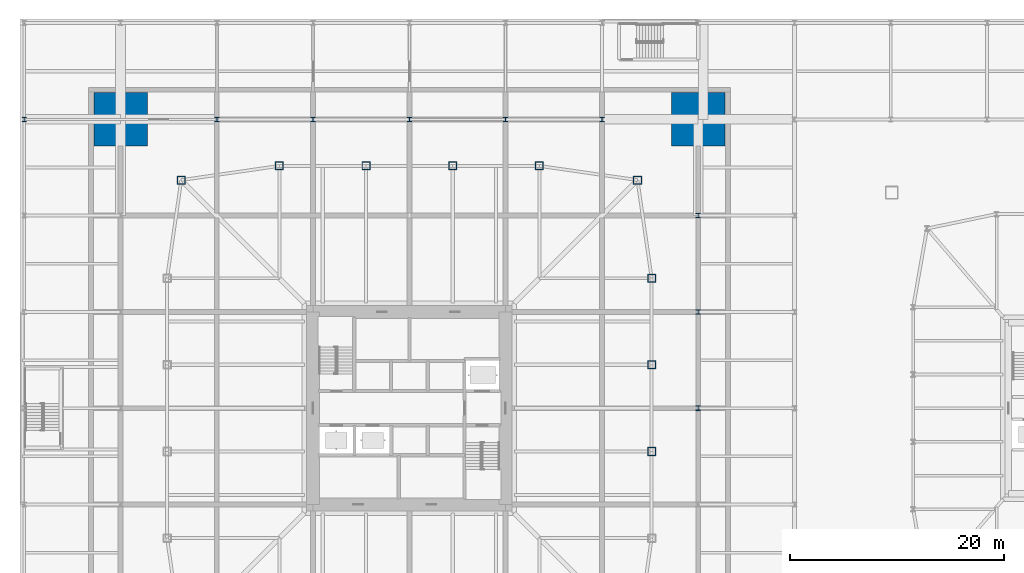
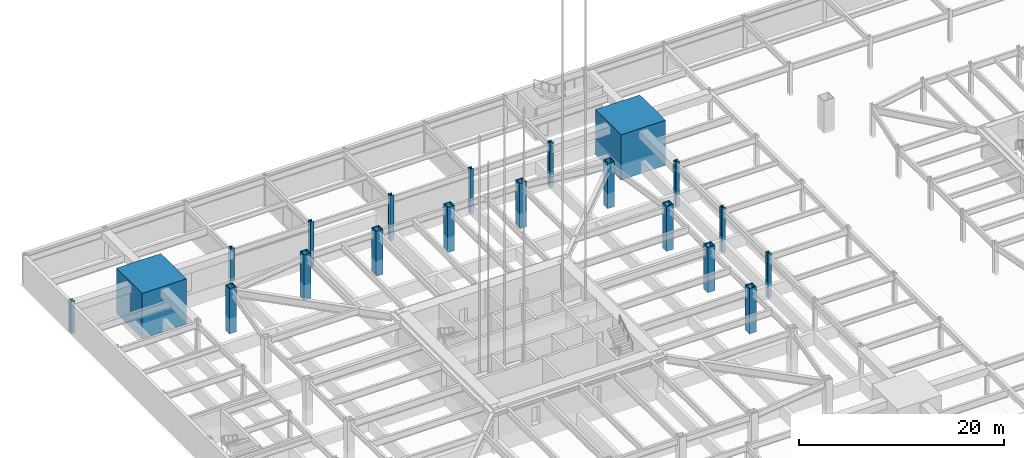
# One storey, part 2 of 35: 20 columns.
"""IFC4 building model written with IfcOpenShell, lengths in metres."""

from ifc_helpers import new_model, si_unit, direction, frame, origin, origin_2d, place, context, subcontext, project, spatial, rectangle, hollow_rectangle, i_section, extrude, material, material_profile, profile_set, type_object, element, save


model = new_model("IFC4")

# Units and contexts
model_context = context("Model", 3, precision=1e-05, world=origin(), true_north=direction((0.0, 1.0)))
body_context = subcontext(model_context, "Body", "Model", "MODEL_VIEW")
ifc_project = project(units=[si_unit("LENGTHUNIT", "METRE"), si_unit("AREAUNIT", "SQUARE_METRE"), si_unit("VOLUMEUNIT", "CUBIC_METRE"), si_unit("PLANEANGLEUNIT", "RADIAN"), si_unit("MASSUNIT", "GRAM", prefix="KILO")], contexts=[model_context])

# Site, building, storey
site_placement = place(None, origin())
site = spatial("IfcSite", under=ifc_project, at=site_placement, CompositionType="ELEMENT")
building_placement = place(site_placement, origin())
building = spatial("IfcBuilding", under=site, at=building_placement, Name="Iwan Alto Co-Living Towers", CompositionType="ELEMENT")
storey_placement = place(building_placement, frame((0.0, 0.0, -7.199951171875)))
storey = spatial("IfcBuildingStorey", under=building, at=storey_placement, Name="B2", CompositionType="ELEMENT", Elevation=-7.199951171875)

# Columns
ifc_material_1 = material(Name="Steel ASTM A992 Gr 50", Category="steel")
ifc_material_profile_1 = material_profile(ifc_material_1, i_section(OverallWidth=0.411376953125, OverallDepth=0.434326171875, WebThickness=0.035888671875, FlangeThickness=0.057373046875, at=origin_2d()), Name="W14X311")
ifc_profile_set_1 = profile_set([ifc_material_profile_1], Name="Steel ASTM A992 Gr 50")
column_type_1 = type_object("IfcColumnType", Name="PODIUM COLUMN W14X311", PredefinedType="COLUMN", material=ifc_profile_set_1)
column_placement = place(storey_placement, frame((-36.0, 27.0, -0.25), z_axis=(0.0, 0.0, 1.0), x_axis=(1.0, 0.0, 0.0)))
element("IfcColumn", 1, at=column_placement, inside=storey, type_object=column_type_1, Name="Podium column 1/H B2", PredefinedType="COLUMN", context=body_context, shape_type="SweptSolid", body=[
    extrude(i_section(OverallWidth=0.411376953125, OverallDepth=0.434326171875, WebThickness=0.035888671875, FlangeThickness=0.057373046875, at=origin_2d()), origin(), (0.0, 0.0, 1.0), 3.849853515625),
])
for number, where, z_axis, x_axis, name in (
    (2, (-18.0, 27.0, -1.800048828125), (0.0, 0.0, 1.0), (1.0, 0.0, 0.0), "Podium column 3/H B2"),
    (3, (-9.0, 27.0, -1.800048828125), (0.0, 0.0, 1.0), (1.0, 0.0, 0.0), "Podium column 4/H B2"),
    (4, (0.0, 27.0, -1.800048828125), (0.0, 0.0, 1.0), (1.0, 0.0, 0.0), "Podium column 5/H B2"),
    (5, (9.0, 27.0, -1.800048828125), (0.0, 0.0, 1.0), (1.0, 0.0, 0.0), "Podium column 6/H B2"),
    (6, (18.0, 27.0, -1.800048828125), (0.0, 0.0, 1.0), (1.0, 0.0, 0.0), "Podium column 7/H B2"),
    (7, (27.0, 0.0, -1.800048828125), (0.0, 0.0, 1.0), (1.0, 0.0, 0.0), "Podium column 8/E B2"),
    (8, (27.0, 9.0, -1.800048828125), (0.0, 0.0, 1.0), (1.0, 0.0, 0.0), "Podium column 8/F B2"),
    (9, (27.0, 18.0, -1.800048828125), (0.0, 0.0, 1.0), (1.0, 0.0, 0.0), "Podium column 8/G B2"),
):
    element("IfcColumn", number, at=place(storey_placement, frame(where, z_axis=z_axis, x_axis=x_axis)), inside=storey, type_object=column_type_1, Name=name, PredefinedType="COLUMN", context=body_context, shape_type="SweptSolid", body=[
        extrude(i_section(OverallWidth=0.411376953125, OverallDepth=0.434326171875, WebThickness=0.035888671875, FlangeThickness=0.057373046875, at=origin_2d()), origin(), (0.0, 0.0, 1.0), 5.39990234375),
    ])
ifc_material_2 = material(Name="Concrete f'c 70 MPa", Category="concrete")
ifc_material_profile_2 = material_profile(ifc_material_2, rectangle(XDim=5.0, YDim=5.0, at=origin_2d()), Name="RC 5000X5000")
ifc_profile_set_2 = profile_set([ifc_material_profile_2], Name="Concrete f'c 70 MPa")
column_type_2 = type_object("IfcColumnType", Name="T1 MEGA COLUMN RC 5000X5000", PredefinedType="COLUMN", material=ifc_profile_set_2)
for number, where, z_axis, x_axis, name in (
    (10, (27.0, 27.0, -1.800048828125), (0.0, 0.0, 1.0), (1.0, 0.0, 0.0), "T1 mega column NE B2"),
    (11, (-27.0, 27.0, -1.800048828125), (0.0, 0.0, 1.0), (1.0, 0.0, 0.0), "T1 mega column NW B2"),
):
    element("IfcColumn", number, at=place(storey_placement, frame(where, z_axis=z_axis, x_axis=x_axis)), inside=storey, type_object=column_type_2, Name=name, PredefinedType="COLUMN", context=body_context, shape_type="SweptSolid", body=[
        extrude(rectangle(XDim=5.0, YDim=5.0, at=origin_2d()), origin(), (0.0, 0.0, 1.0), 5.39990234375),
        extrude(i_section(OverallWidth=0.4775390625, OverallDepth=0.599365234375, WebThickness=0.10009765625, FlangeThickness=0.139892578125, at=origin_2d()), origin(), (0.0, 0.0, 1.0), 5.39990234375),
    ])
ifc_material_3 = material(Name="Steel ASTM A572 Gr 50", Category="steel")
ifc_material_profile_3 = material_profile(ifc_material_3, hollow_rectangle(XDim=0.800048828125, YDim=0.800048828125, WallThickness=0.090087890625, at=origin_2d()), Name="BOX 800X800X90")
ifc_profile_set_3 = profile_set([ifc_material_profile_3], Name="Steel ASTM A572 Gr 50")
column_type_3 = type_object("IfcColumnType", Name="T1 RING COLUMN BOX 800X800X90", PredefinedType="COLUMN", material=ifc_profile_set_3)
for number, where, z_axis, x_axis, name in (
    (12, (22.64990234375, -4.050048828125, -1.800048828125), (0.0, 0.0, 1.0), (1.0, 0.0, 0.0), "T1 ring column E2 B2"),
    (13, (22.64990234375, 4.050048828125, -1.800048828125), (0.0, 0.0, 1.0), (1.0, 0.0, 0.0), "T1 ring column E3 B2"),
    (14, (22.64990234375, 12.14990234375, -1.800048828125), (0.0, 0.0, 1.0), (1.0, 0.0, 0.0), "T1 ring column E4 B2"),
    (15, (21.32568359375, 21.32568359375, -1.800048828125), (0.0, 0.0, 1.0), (1.0, 0.0, 0.0), "T1 ring column CNE B2"),
    (16, (12.14990234375, 22.64990234375, -1.800048828125), (0.0, 0.0, 1.0), (1.0, 0.0, 0.0), "T1 ring column N1 B2"),
    (17, (4.050048828125, 22.64990234375, -1.800048828125), (0.0, 0.0, 1.0), (1.0, 0.0, 0.0), "T1 ring column N2 B2"),
    (18, (-4.050048828125, 22.64990234375, -1.800048828125), (0.0, 0.0, 1.0), (1.0, 0.0, 0.0), "T1 ring column N3 B2"),
    (19, (-12.14990234375, 22.64990234375, -1.800048828125), (0.0, 0.0, 1.0), (1.0, 0.0, 0.0), "T1 ring column N4 B2"),
    (20, (-21.32568359375, 21.32568359375, -1.800048828125), (0.0, 0.0, 1.0), (1.0, 0.0, 0.0), "T1 ring column CNW B2"),
):
    element("IfcColumn", number, at=place(storey_placement, frame(where, z_axis=z_axis, x_axis=x_axis)), inside=storey, type_object=column_type_3, Name=name, PredefinedType="COLUMN", context=body_context, shape_type="SweptSolid", body=[
        extrude(hollow_rectangle(XDim=0.800048828125, YDim=0.800048828125, WallThickness=0.090087890625, at=origin_2d()), origin(), (0.0, 0.0, 1.0), 5.39990234375),
    ])

save(model, "model.ifc")
